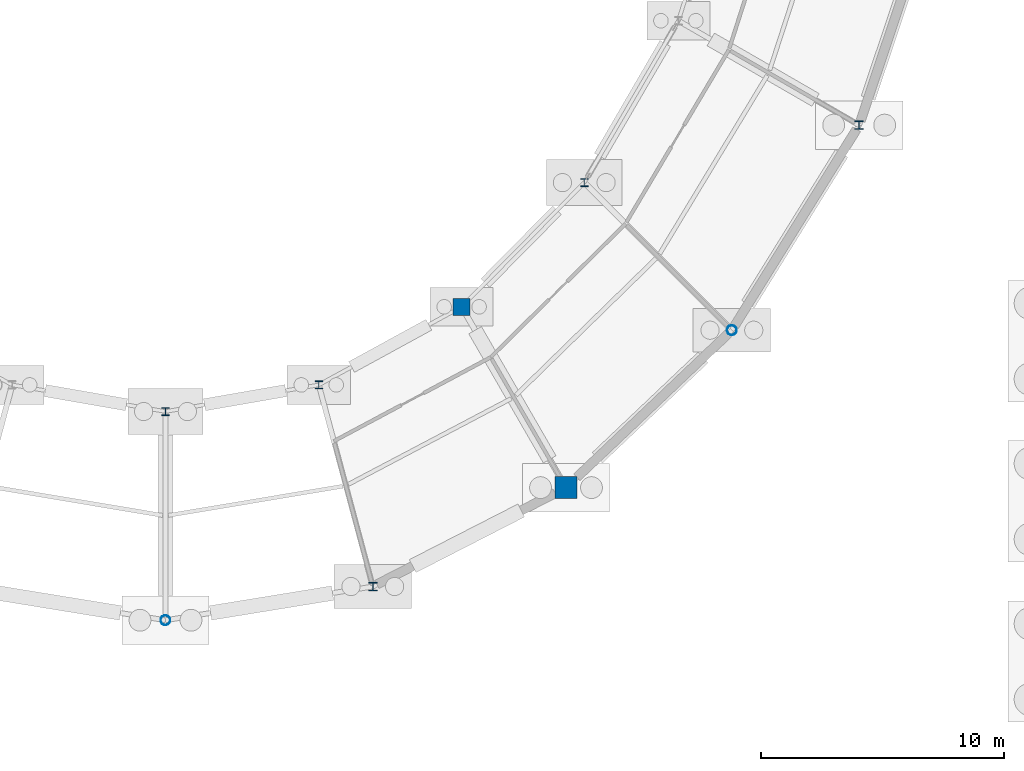
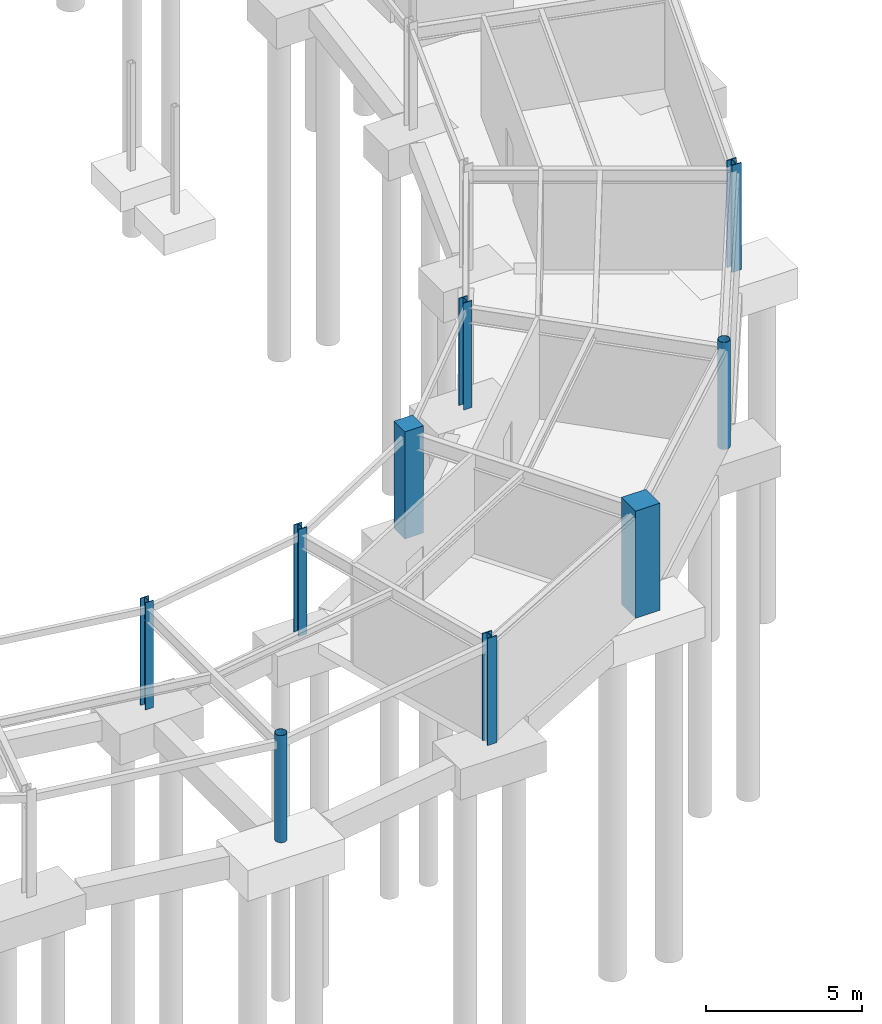
# One storey, part 13 of 58: 9 columns.
"""IFC4 building model written with IfcOpenShell, lengths in metres."""

from ifc_helpers import new_model, si_unit, direction, frame, origin, origin_2d, place, context, subcontext, project, spatial, rectangle, hollow_circle, i_section, extrude, material, material_profile, profile_set, type_object, element, save


model = new_model("IFC4")

# Units and contexts
model_context = context("Model", 3, precision=1e-05, world=origin(), true_north=direction((0.0, 1.0)))
body_context = subcontext(model_context, "Body", "Model", "MODEL_VIEW")
ifc_project = project(units=[si_unit("LENGTHUNIT", "METRE"), si_unit("AREAUNIT", "SQUARE_METRE"), si_unit("VOLUMEUNIT", "CUBIC_METRE"), si_unit("PLANEANGLEUNIT", "RADIAN"), si_unit("MASSUNIT", "GRAM", prefix="KILO")], contexts=[model_context])

# Site, building, storey
site_placement = place(None, origin())
site = spatial("IfcSite", under=ifc_project, at=site_placement, CompositionType="ELEMENT")
building_placement = place(site_placement, origin())
building = spatial("IfcBuilding", under=site, at=building_placement, Name="Karori Crest Natural Sciences Institute", CompositionType="ELEMENT")
storey_placement = place(building_placement, frame((0.0, 0.0, -4.199951171875)))
storey = spatial("IfcBuildingStorey", under=building, at=storey_placement, Name="B1", CompositionType="ELEMENT", Elevation=-4.199951171875)

# Columns
ifc_material_1 = material(Name="Structural steel AS/NZS 3679.1 Grade 350", Category="steel")
ifc_material_profile_1 = material_profile(ifc_material_1, i_section(OverallWidth=0.35009765625, OverallDepth=0.35009765625, WebThickness=0.02001953125, FlangeThickness=0.031982421875, FilletRadius=0.01611328125, at=origin_2d()), Name="350WC280")
ifc_profile_set_1 = profile_set([ifc_material_profile_1], Name="Structural steel AS/NZS 3679.1 Grade 350")
column_type_1 = type_object("IfcColumnType", Name="CT-03", PredefinedType="COLUMN", material=ifc_profile_set_1)
for number, where, z_axis, x_axis, name in (
    (1, (74.94091796875, 10.490234375, 0.0), (0.0, 0.0, 1.0), (1.0, 0.0, 0.0), "Column C-0313"),
    (2, (94.978759765625, 29.5, 0.0), (0.0, 0.0, 1.0), (1.0, 0.0, 0.0), "Column C-0361"),
):
    element("IfcColumn", number, at=place(storey_placement, frame(where, z_axis=z_axis, x_axis=x_axis)), inside=storey, type_object=column_type_1, Name=name, PredefinedType="COLUMN", context=body_context, shape_type="SweptSolid", body=[
        extrude(i_section(OverallWidth=0.35009765625, OverallDepth=0.35009765625, WebThickness=0.02001953125, FlangeThickness=0.031982421875, FilletRadius=0.01611328125, at=origin_2d()), origin(), (0.0, 0.0, 1.0), 4.199951171875),
    ])
ifc_material_profile_2 = material_profile(ifc_material_1, i_section(OverallWidth=0.31103515625, OverallDepth=0.326904296875, WebThickness=0.015625, FlangeThickness=0.02490234375, FilletRadius=0.01708984375, at=origin_2d()), Name="310UC158")
ifc_profile_set_2 = profile_set([ifc_material_profile_2], Name="Structural steel AS/NZS 3679.1 Grade 350")
column_type_2 = type_object("IfcColumnType", Name="CT-04-IL", PredefinedType="COLUMN", material=ifc_profile_set_2)
for number, where, z_axis, x_axis, name in (
    (3, (66.39990234375, 17.699951171875, 0.0), (0.0, 0.0, 1.0), (1.0, 0.0, 0.0), "Column C-0298"),
    (4, (72.715087890625, 18.797119140625, 0.0), (0.0, 0.0, 1.0), (1.0, 0.0, 0.0), "Column C-0314"),
    (5, (83.6533203125, 27.131103515625, 0.0), (0.0, 0.0, 1.0), (1.0, 0.0, 0.0), "Column C-0346"),
):
    element("IfcColumn", number, at=place(storey_placement, frame(where, z_axis=z_axis, x_axis=x_axis)), inside=storey, type_object=column_type_2, Name=name, PredefinedType="COLUMN", context=body_context, shape_type="SweptSolid", body=[
        extrude(i_section(OverallWidth=0.31103515625, OverallDepth=0.326904296875, WebThickness=0.015625, FlangeThickness=0.02490234375, FilletRadius=0.01708984375, at=origin_2d()), origin(), (0.0, 0.0, 1.0), 4.199951171875),
    ])
ifc_material_2 = material(Name="Hollow structural steel AS/NZS 1163 Grade C350", Category="steel")
ifc_material_profile_3 = material_profile(ifc_material_2, hollow_circle(Radius=0.203125, WallThickness=0.0126953125, at=origin_2d()), Name="CHS406.4x12.7")
ifc_profile_set_3 = profile_set([ifc_material_profile_3], Name="Hollow structural steel AS/NZS 1163 Grade C350")
column_type_3 = type_object("IfcColumnType", Name="CT-27", PredefinedType="COLUMN", material=ifc_profile_set_3)
for number, where, z_axis, x_axis, name in (
    (6, (66.39990234375, 9.10009765625, 0.0), (0.0, 0.0, 1.0), (1.0, 0.0, 0.0), "Column C-0297"),
    (7, (89.734619140625, 21.050048828125, 0.0), (0.0, 0.0, 1.0), (1.0, 0.0, 0.0), "Column C-0345"),
):
    element("IfcColumn", number, at=place(storey_placement, frame(where, z_axis=z_axis, x_axis=x_axis)), inside=storey, type_object=column_type_3, Name=name, PredefinedType="COLUMN", context=body_context, shape_type="SweptSolid", body=[
        extrude(hollow_circle(Radius=0.203125, WallThickness=0.0126953125, at=origin_2d()), origin(), (0.0, 0.0, 1.0), 4.199951171875),
    ])
ifc_material_3 = material(Name="Concrete 50 MPa", Category="concrete")
ifc_material_profile_4 = material_profile(ifc_material_3, rectangle(XDim=0.89990234375, YDim=0.89990234375, at=origin_2d()), Name="RC900x900")
ifc_profile_set_4 = profile_set([ifc_material_profile_4], Name="Concrete 50 MPa")
column_type_4 = type_object("IfcColumnType", Name="CT-28", PredefinedType="COLUMN", material=ifc_profile_set_4)
column_1_placement = place(storey_placement, frame((82.89990234375, 14.566162109375, 0.0), z_axis=(0.0, 0.0, 1.0), x_axis=(1.0, 0.0, 0.0)))
element("IfcColumn", 8, at=column_1_placement, inside=storey, type_object=column_type_4, Name="Column C-0329", PredefinedType="COLUMN", context=body_context, shape_type="SweptSolid", body=[
    extrude(rectangle(XDim=0.89990234375, YDim=0.89990234375, at=origin_2d()), origin(), (0.0, 0.0, 1.0), 4.199951171875),
])
ifc_material_profile_5 = material_profile(ifc_material_3, rectangle(XDim=0.699951171875, YDim=0.699951171875, at=origin_2d()), Name="RC700x700")
ifc_profile_set_5 = profile_set([ifc_material_profile_5], Name="Concrete 50 MPa")
column_type_5 = type_object("IfcColumnType", Name="CT-29", PredefinedType="COLUMN", material=ifc_profile_set_5)
column_2_placement = place(storey_placement, frame((78.60009765625, 22.013916015625, 0.0), z_axis=(0.0, 0.0, 1.0), x_axis=(1.0, 0.0, 0.0)))
element("IfcColumn", 9, at=column_2_placement, inside=storey, type_object=column_type_5, Name="Column C-0330", PredefinedType="COLUMN", context=body_context, shape_type="SweptSolid", body=[
    extrude(rectangle(XDim=0.699951171875, YDim=0.699951171875, at=origin_2d()), origin(), (0.0, 0.0, 1.0), 4.199951171875),
])

save(model, "model.ifc")
